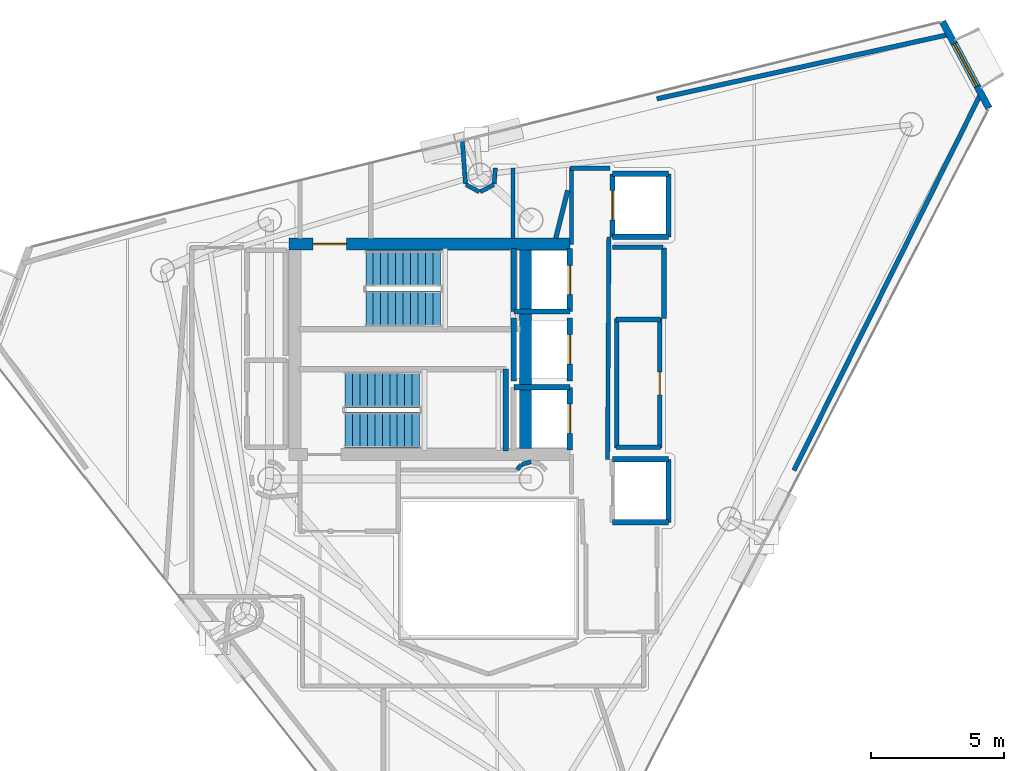
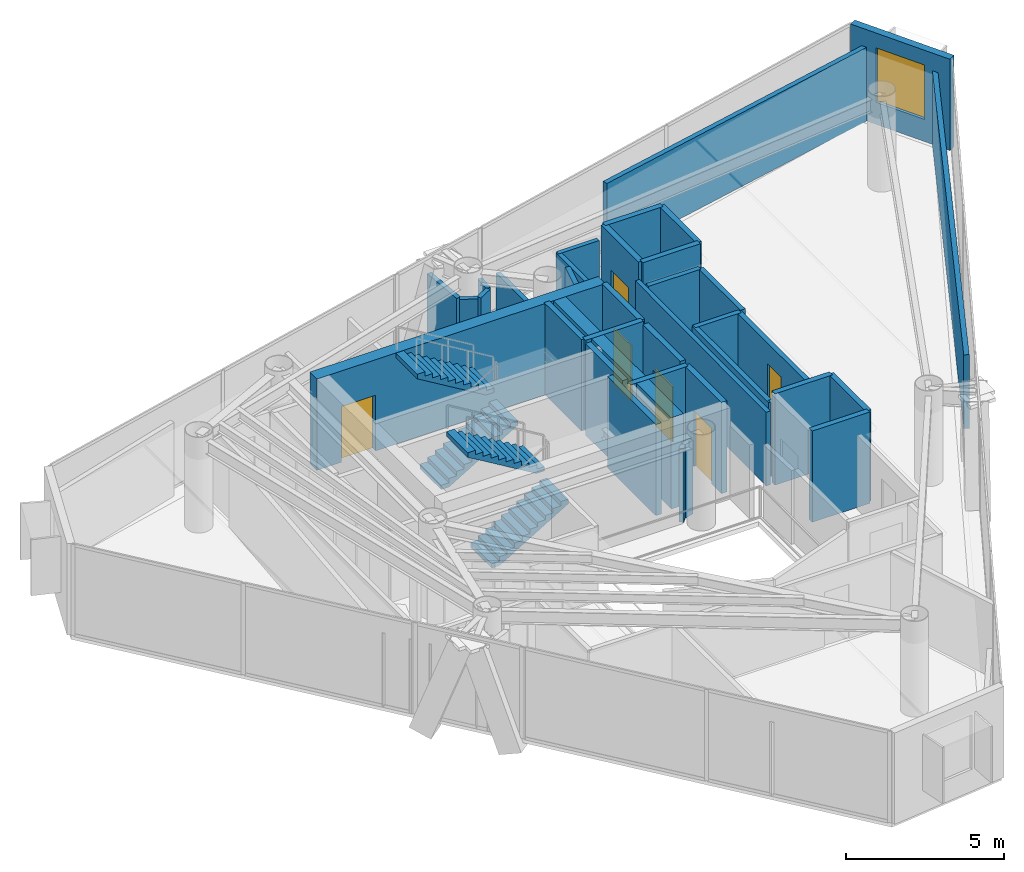
# One storey, part 19 of 21: 37 walls, 6 doors, 4 stair flights, 1 window, 7 openings, 2 elements without a shape of their own.
"""IFC4 building model written with IfcOpenShell, lengths in metres."""

from ifc_helpers import new_model, si_unit, direction, frame, frame_2d, origin, place, context, subcontext, project, spatial, polyline, rectangle, outline, extrude, material, layer, layer_set, type_object, element, fill, aggregate, save


model = new_model("IFC4")

# Units and contexts
model_context = context("Model", 3, precision=1e-05, world=origin(), true_north=direction((0.0, 1.0)))
body_context = subcontext(model_context, "Body", "Model", "MODEL_VIEW")
ifc_project = project(units=[si_unit("LENGTHUNIT", "METRE"), si_unit("AREAUNIT", "SQUARE_METRE"), si_unit("VOLUMEUNIT", "CUBIC_METRE"), si_unit("PLANEANGLEUNIT", "RADIAN"), si_unit("MASSUNIT", "GRAM", prefix="KILO")], contexts=[model_context])

# Site, building, storey
site_placement = place(None, origin())
site = spatial("IfcSite", under=ifc_project, at=site_placement, CompositionType="ELEMENT")
building_placement = place(site_placement, origin())
building = spatial("IfcBuilding", under=site, at=building_placement, Name="Qianvela Tower", CompositionType="ELEMENT")
storey_placement = place(building_placement, frame((0.0, 0.0, 310.199951171875)))
storey = spatial("IfcBuildingStorey", under=building, at=storey_placement, Name="L80", CompositionType="ELEMENT", Elevation=310.199951171875)

# Wall, opening, window
ifc_material_1 = material(Name="Terracotta Cladding on Concrete C40", Category="masonry")
ifc_layer_1 = layer(ifc_material_1, 0.260009765625)
ifc_layer_set_1 = layer_set([ifc_layer_1], Name="Terracotta Cladding on Concrete C40")
wall_type_1 = type_object("IfcWallType", Name="TERRACOTTA-WALL-260", PredefinedType="SOLIDWALL", material=ifc_layer_set_1)
wall_1_placement = place(storey_placement, frame((55.561279296875, 37.737060546875, 0.0), z_axis=(0.0, 0.0, 1.0), x_axis=(-0.472800148405, 0.881169688351, 0.0)))
wall_1 = element("IfcWall", 1, at=wall_1_placement, inside=storey, type_object=wall_type_1, Name="L80 Terracotta Chamfer Facet Wall 1", PredefinedType="SOLIDWALL", context=body_context, shape_type="SweptSolid", body=[
    extrude(rectangle(XDim=3.68701171875, YDim=0.260009765625, at=frame_2d((1.843505859375, 0.0))), origin(), (0.0, 0.0, 1.0), 3.52001953125),
])
opening_1_placement = place(wall_1_placement, frame((0.943359375, 0.0, 0.85009765625)))
opening_1 = element("IfcOpeningElement", 2, at=opening_1_placement, cuts=wall_1, Name="Opening W-01", PredefinedType="OPENING", context=body_context, shape_type="SweptSolid", body=[
    extrude(rectangle(XDim=1.800048828125, YDim=2.10009765625, at=frame_2d((0.89990234375, 1.050048828125))), frame((0.0, 0.139892578125, 0.0), z_axis=(0.0, -1.0, 0.0), x_axis=(1.0, 0.0, 0.0)), (0.0, 0.0, 1.0), 0.280029296875),
])
ifc_material_2 = material(Name="Thermally Broken Aluminium and Low-E Glass", Category="aluminium")
window_type = type_object("IfcWindowType", Name="WIN-TC-1800x2100", PartitioningType="DOUBLE_PANEL_VERTICAL", PredefinedType="WINDOW", material=ifc_material_2)
window_placement = place(opening_1_placement, origin())
window = element("IfcWindow", 3, at=window_placement, inside=storey, type_object=window_type, Name="L80 Chamfer Facet Window 1.1", OverallHeight=2.10009765625, OverallWidth=1.800048828125, PartitioningType="SINGLE_PANEL", PredefinedType="WINDOW", context=body_context, shape_type="SweptSolid", body=[
    extrude(rectangle(XDim=1.800048828125, YDim=2.10009765625, at=frame_2d((0.89990234375, 1.050048828125))), frame((0.0, 0.030029296875, 0.0), z_axis=(0.0, -1.0, 0.0), x_axis=(1.0, 0.0, 0.0)), (0.0, 0.0, 1.0), 0.06005859375),
])
fill(opening_1, window)

# Wall, opening, door
ifc_material_3 = material(Name="Concrete C50", Category="concrete")
ifc_layer_2 = layer(ifc_material_3, 0.449951171875)
ifc_layer_set_2 = layer_set([ifc_layer_2], Name="Concrete C50")
wall_type_2 = type_object("IfcWallType", Name="WT-CORE-450", PredefinedType="SHEAR", material=ifc_layer_set_2)
wall_2_placement = place(storey_placement, frame((29.330078125, 32.64501953125, 0.0), z_axis=(0.0, 0.0, 1.0), x_axis=(1.0, 0.0, 0.0)))
wall_2 = element("IfcWall", 4, at=wall_2_placement, inside=storey, type_object=wall_type_2, Name="L80 North Core Shear Wall", PredefinedType="SHEAR", context=body_context, shape_type="SweptSolid", body=[
    extrude(rectangle(XDim=10.52001953125, YDim=0.449951171875, at=frame_2d((5.260009765625, 0.0))), origin(), (0.0, 0.0, 1.0), 3.52001953125),
])
opening_2_placement = place(wall_2_placement, frame((0.89501953125, 0.0, 0.0)))
opening_2 = element("IfcOpeningElement", 5, at=opening_2_placement, cuts=wall_2, Name="Opening D-ST1", PredefinedType="OPENING", context=body_context, shape_type="SweptSolid", body=[
    extrude(rectangle(XDim=1.25, YDim=2.14990234375, at=frame_2d((0.625, 1.074951171875))), frame((0.0, 0.23486328125, 0.0), z_axis=(0.0, -1.0, 0.0), x_axis=(1.0, 0.0, 0.0)), (0.0, 0.0, 1.0), 0.469970703125),
])
ifc_material_4 = material(Name="Galvanised Fire Steel Q355B", Category="steel")
door_type_1 = type_object("IfcDoorType", Name="DT-STAIR-FD90", OperationType="NOTDEFINED", PredefinedType="DOOR", material=ifc_material_4)
door_1_placement = place(opening_2_placement, origin())
door_1 = element("IfcDoor", 6, at=door_1_placement, inside=storey, type_object=door_type_1, Name="L80 Stair ST-1 Exit Door", OperationType="SINGLE_SWING_RIGHT", OverallHeight=2.14990234375, OverallWidth=1.25, PredefinedType="DOOR", context=body_context, shape_type="SweptSolid", body=[
    extrude(rectangle(XDim=1.25, YDim=2.14990234375, at=frame_2d((0.625, 1.074951171875))), frame((0.0, 0.02490234375, 0.0), z_axis=(0.0, -1.0, 0.0), x_axis=(1.0, 0.0, 0.0)), (0.0, 0.0, 1.0), 0.050048828125),
])
fill(opening_2, door_1)

# Walls
wall_3_placement = place(storey_placement, frame((38.179931640625, 24.97998046875, 0.0), z_axis=(0.0, 0.0, 1.0), x_axis=(0.0, 1.0, 0.0)))
element("IfcWall", 7, at=wall_3_placement, inside=storey, type_object=wall_type_2, Name="L80 East Spine Core Shear Wall", PredefinedType="SHEAR", context=body_context, shape_type="SweptSolid", body=[
    extrude(rectangle(XDim=7.43994140625, YDim=0.449951171875, at=frame_2d((3.719970703125, 0.0))), origin(), (0.0, 0.0, 1.0), 3.52001953125),
])
ifc_material_5 = material(Name="Fire-Rated Gypsum and Concrete Block", Category="concrete")
ifc_layer_3 = layer(ifc_material_5, 0.159912109375)
ifc_layer_set_3 = layer_set([ifc_layer_3], Name="Fire-Rated Gypsum and Concrete Block")
wall_type_3 = type_object("IfcWallType", Name="WT-CORR-160", PredefinedType="PARTITIONING", material=ifc_layer_set_3)
wall_4_placement = place(storey_placement, frame((39.910888671875, 32.639892578125, 0.0), z_axis=(0.0, 0.0, 1.0), x_axis=(0.0, 1.0, 0.0)))
element("IfcWall", 8, at=wall_4_placement, inside=storey, type_object=wall_type_3, Name="L80 Partition 12", PredefinedType="PARTITIONING", context=body_context, shape_type="SweptSolid", body=[
    extrude(rectangle(XDim=2.880126953125, YDim=0.159912109375, at=frame_2d((1.43994140625, 0.0))), origin(), (0.0, 0.0, 1.0), 2.840087890625),
])
wall_5_placement = place(storey_placement, frame((39.8798828125, 35.489013671875, 0.0), z_axis=(0.0, 0.0, 1.0), x_axis=(1.0, 0.0, 0.0)))
element("IfcWall", 9, at=wall_5_placement, inside=storey, type_object=wall_type_3, Name="L80 Partition 13", PredefinedType="PARTITIONING", context=body_context, shape_type="SweptSolid", body=[
    extrude(rectangle(XDim=1.480224609375, YDim=0.159912109375, at=frame_2d((0.740234375, 0.0))), origin(), (0.0, 0.0, 1.0), 2.840087890625),
])
wall_6_placement = place(storey_placement, frame((41.3134765625, 32.919921875, 0.0), z_axis=(0.0, 0.0, 1.0), x_axis=(-0.005942518022, -0.999982343084, 0.0)))
element("IfcWall", 10, at=wall_6_placement, inside=storey, type_object=wall_type_3, Name="L80 Partition 14 seg 2", PredefinedType="PARTITIONING", context=body_context, shape_type="SweptSolid", body=[
    extrude(rectangle(XDim=8.340087890625, YDim=0.159912109375, at=frame_2d((4.169921875, 0.0))), origin(), (0.0, 0.0, 1.0), 2.840087890625),
])
wall_7_placement = place(storey_placement, frame((38.39111328125, 24.48974609375, 0.0), z_axis=(0.0, 0.0, 1.0), x_axis=(-0.957007018611, -0.290064762301, 0.0)))
element("IfcWall", 11, at=wall_7_placement, inside=storey, type_object=wall_type_3, Name="L80 Partition 35", PredefinedType="PARTITIONING", context=body_context, shape_type="SweptSolid", body=[
    extrude(rectangle(XDim=0.354248046875, YDim=0.159912109375, at=frame_2d((0.17724609375, 0.0))), origin(), (0.0, 0.0, 1.0), 2.840087890625),
])
wall_8_placement = place(storey_placement, frame((38.0380859375, 24.378173828125, 0.0), z_axis=(0.0, 0.0, 1.0), x_axis=(-0.673658387955, -0.739042878551, 0.0)))
element("IfcWall", 12, at=wall_8_placement, inside=storey, type_object=wall_type_3, Name="L80 Partition 36", PredefinedType="PARTITIONING", context=body_context, shape_type="SweptSolid", body=[
    extrude(rectangle(XDim=0.246337890625, YDim=0.159912109375, at=frame_2d((0.123046875, 0.0))), origin(), (0.0, 0.0, 1.0), 2.840087890625),
])
wall_9_placement = place(storey_placement, frame((35.81640625, 36.555419921875, 0.0), z_axis=(0.0, 0.0, 1.0), x_axis=(0.073329289275, -0.997307783653, 0.0)))
element("IfcWall", 13, at=wall_9_placement, inside=storey, type_object=wall_type_3, Name="L80 Partition 52", PredefinedType="PARTITIONING", context=body_context, shape_type="SweptSolid", body=[
    extrude(rectangle(XDim=1.657958984375, YDim=0.159912109375, at=frame_2d((0.8291015625, 0.0))), origin(), (0.0, 0.0, 1.0), 2.840087890625),
])
for number, where, z_axis, x_axis, name in (
    (14, (35.9541015625, 34.876708984375, 0.0), (0.0, 0.0, 1.0), (0.882047254832, -0.471160949405, 0.0), "L80 Partition 53"),
    (15, (36.490478515625, 34.605712890625, 0.0), (0.0, 0.0, 1.0), (0.882047254832, 0.471160949405, 0.0), "L80 Partition 54"),
):
    element("IfcWall", number, at=place(storey_placement, frame(where, z_axis=z_axis, x_axis=x_axis)), inside=storey, type_object=wall_type_3, Name=name, PredefinedType="PARTITIONING", context=body_context, shape_type="SweptSolid", body=[
        extrude(rectangle(XDim=0.5751953125, YDim=0.159912109375, at=frame_2d((0.28759765625, 0.0))), origin(), (0.0, 0.0, 1.0), 2.840087890625),
    ])
wall_10_placement = place(storey_placement, frame((37.01416015625, 34.90185546875, 0.0), z_axis=(0.0, 0.0, 1.0), x_axis=(0.073134230676, 0.997322106595, 0.0)))
element("IfcWall", 16, at=wall_10_placement, inside=storey, type_object=wall_type_3, Name="L80 Partition 55", PredefinedType="PARTITIONING", context=body_context, shape_type="SweptSolid", body=[
    extrude(rectangle(XDim=0.59765625, YDim=0.159912109375, at=frame_2d((0.298828125, 0.0))), origin(), (0.0, 0.0, 1.0), 2.840087890625),
])
wall_11_placement = place(storey_placement, frame((37.718994140625, 35.5, 0.0), z_axis=(0.0, 0.0, 1.0), x_axis=(0.0, -1.0, 0.0)))
element("IfcWall", 17, at=wall_11_placement, inside=storey, type_object=wall_type_3, Name="L80 Partition 57", PredefinedType="PARTITIONING", context=body_context, shape_type="SweptSolid", body=[
    extrude(rectangle(XDim=2.64208984375, YDim=0.159912109375, at=frame_2d((1.321044921875, 0.0))), origin(), (0.0, 0.0, 1.0), 2.840087890625),
])
ifc_material_6 = material(Name="Moisture-Resistant Acoustic Plumbing Wall")
ifc_layer_4 = layer(ifc_material_6, 0.175048828125)
ifc_layer_set_4 = layer_set([ifc_layer_4], Name="Moisture-Resistant Acoustic Plumbing Wall")
wall_type_4 = type_object("IfcWallType", Name="WT-PLUMB-175", PredefinedType="PLUMBINGWALL", material=ifc_layer_set_4)
wall_12_placement = place(storey_placement, frame((43.25, 25.031005859375, 0.0), z_axis=(0.0, 0.0, 1.0), x_axis=(-1.0, 0.0, 0.0)))
element("IfcWall", 18, at=wall_12_placement, inside=storey, type_object=wall_type_4, Name="L80 Partition 19", PredefinedType="PLUMBINGWALL", context=body_context, shape_type="SweptSolid", body=[
    extrude(rectangle(XDim=1.669921875, YDim=0.175048828125, at=frame_2d((0.8349609375, 0.0))), origin(), (0.0, 0.0, 1.0), 2.840087890625),
])
wall_13_placement = place(storey_placement, frame((41.611083984375, 25.0, 0.0), z_axis=(0.0, 0.0, 1.0), x_axis=(0.0, 1.0, 0.0)))
element("IfcWall", 19, at=wall_13_placement, inside=storey, type_object=wall_type_4, Name="L80 Partition 20", PredefinedType="PLUMBINGWALL", context=body_context, shape_type="SweptSolid", body=[
    extrude(rectangle(XDim=4.85009765625, YDim=0.175048828125, at=frame_2d((2.425048828125, 0.0))), origin(), (0.0, 0.0, 1.0), 2.840087890625),
])
wall_14_placement = place(storey_placement, frame((41.580078125, 29.819091796875, 0.0), z_axis=(0.0, 0.0, 1.0), x_axis=(1.0, 0.0, 0.0)))
element("IfcWall", 20, at=wall_14_placement, inside=storey, type_object=wall_type_4, Name="L80 Partition 21", PredefinedType="PLUMBINGWALL", context=body_context, shape_type="SweptSolid", body=[
    extrude(rectangle(XDim=1.669921875, YDim=0.175048828125, at=frame_2d((0.8349609375, 0.0))), origin(), (0.0, 0.0, 1.0), 2.840087890625),
])

# Wall, opening, door
wall_15_placement = place(storey_placement, frame((43.218994140625, 29.85009765625, 0.0), z_axis=(0.0, 0.0, 1.0), x_axis=(0.0, -1.0, 0.0)))
wall_15 = element("IfcWall", 21, at=wall_15_placement, inside=storey, type_object=wall_type_4, Name="L80 Partition 22", PredefinedType="PLUMBINGWALL", context=body_context, shape_type="SweptSolid", body=[
    extrude(rectangle(XDim=4.85009765625, YDim=0.175048828125, at=frame_2d((2.425048828125, 0.0))), origin(), (0.0, 0.0, 1.0), 2.840087890625),
])
opening_3_placement = place(wall_15_placement, frame((1.9951171875, 0.0, 0.0)))
opening_3 = element("IfcOpeningElement", 22, at=opening_3_placement, cuts=wall_15, Name="Opening D-WC1", PredefinedType="OPENING", context=body_context, shape_type="SweptSolid", body=[
    extrude(rectangle(XDim=0.860107421875, YDim=2.050048828125, at=frame_2d((0.43017578125, 1.02490234375))), frame((0.0, 0.097412109375, 0.0), z_axis=(0.0, -1.0, 0.0), x_axis=(1.0, 0.0, 0.0)), (0.0, 0.0, 1.0), 0.195068359375),
])
ifc_material_7 = material(Name="Moisture-Sealed Acoustic Timber Door", Category="wood")
door_type_2 = type_object("IfcDoorType", Name="DT-WC-860", OperationType="NOTDEFINED", PredefinedType="DOOR", material=ifc_material_7)
door_2_placement = place(opening_3_placement, origin())
door_2 = element("IfcDoor", 23, at=door_2_placement, inside=storey, type_object=door_type_2, Name="L80 Door L80 Accessible WC to Student Tea Pantry L80-02", OperationType="SINGLE_SWING_LEFT", OverallHeight=2.050048828125, OverallWidth=0.860107421875, PredefinedType="DOOR", context=body_context, shape_type="SweptSolid", body=[
    extrude(rectangle(XDim=0.860107421875, YDim=2.050048828125, at=frame_2d((0.43017578125, 1.02490234375))), frame((0.0, 0.02490234375, 0.0), z_axis=(0.0, -1.0, 0.0), x_axis=(1.0, 0.0, 0.0)), (0.0, 0.0, 1.0), 0.050048828125),
])
fill(opening_3, door_2)

# Walls
wall_16_placement = place(storey_placement, frame((39.77001953125, 34.661865234375, 0.0), z_axis=(0.0, 0.0, 1.0), x_axis=(-0.241886708188, -0.970304498805, 0.0)))
element("IfcWall", 24, at=wall_16_placement, inside=storey, type_object=wall_type_4, Name="L80 Partition 88", PredefinedType="PLUMBINGWALL", context=body_context, shape_type="SweptSolid", body=[
    extrude(rectangle(XDim=1.859130859375, YDim=0.175048828125, at=frame_2d((0.9296875, 0.0))), origin(), (0.0, 0.0, 1.0), 2.840087890625),
])
wall_17_placement = place(storey_placement, frame((43.11083984375, 38.09130859375, 0.0), z_axis=(0.0, 0.0, 1.0), x_axis=(0.97655948343, 0.215247706893, 0.0)))
element("IfcWall", 25, at=wall_17_placement, inside=storey, type_object=wall_type_4, Name="L80 Partition 96 seg 2", PredefinedType="PLUMBINGWALL", context=body_context, shape_type="SweptSolid", body=[
    extrude(rectangle(XDim=11.2470703125, YDim=0.175048828125, at=frame_2d((5.62353515625, 0.0))), origin(), (0.0, 0.0, 1.0), 2.840087890625),
])
wall_18_placement = place(storey_placement, frame((55.26904296875, 38.31640625, 0.0), z_axis=(0.0, 0.0, 1.0), x_axis=(-0.444156792002, -0.895949074512, 0.0)))
element("IfcWall", 26, at=wall_18_placement, inside=storey, type_object=wall_type_4, Name="L80 Partition 98 seg 1", PredefinedType="PLUMBINGWALL", context=body_context, shape_type="SweptSolid", body=[
    extrude(rectangle(XDim=15.79541015625, YDim=0.175048828125, at=frame_2d((7.897705078125, 0.0))), origin(), (0.0, 0.0, 1.0), 2.840087890625),
])
wall_19_placement = place(storey_placement, frame((43.381103515625, 29.85009765625, 0.0), z_axis=(0.0, 0.0, 1.0), x_axis=(0.0, 1.0, 0.0)))
element("IfcWall", 27, at=wall_19_placement, inside=storey, type_object=wall_type_4, Name="L80 Partition 106 seg 2", PredefinedType="PLUMBINGWALL", context=body_context, shape_type="SweptSolid", body=[
    extrude(rectangle(XDim=2.64990234375, YDim=0.175048828125, at=frame_2d((1.324951171875, 0.0))), origin(), (0.0, 0.0, 1.0), 2.840087890625),
])
wall_20_placement = place(storey_placement, frame((43.35009765625, 32.531005859375, 0.0), z_axis=(0.0, 0.0, 1.0), x_axis=(-1.0, 0.0, 0.0)))
element("IfcWall", 28, at=wall_20_placement, inside=storey, type_object=wall_type_4, Name="L80 Partition 107", PredefinedType="PLUMBINGWALL", context=body_context, shape_type="SweptSolid", body=[
    extrude(rectangle(XDim=1.91015625, YDim=0.175048828125, at=frame_2d((0.955078125, 0.0))), origin(), (0.0, 0.0, 1.0), 2.840087890625),
])
ifc_material_8 = material(Name="Concrete C50", Category="concrete")
ifc_layer_5 = layer(ifc_material_8, 0.199951171875)
ifc_layer_set_5 = layer_set([ifc_layer_5], Name="Concrete C50")
wall_type_5 = type_object("IfcWallType", Name="WT-SHAFT-200", PredefinedType="SOLIDWALL", material=ifc_layer_set_5)
wall_21_placement = place(storey_placement, frame((37.449951171875, 24.89990234375, 0.0), z_axis=(0.0, 0.0, 1.0), x_axis=(0.0, 1.0, 0.0)))
element("IfcWall", 29, at=wall_21_placement, inside=storey, type_object=wall_type_5, Name="L80 Stair ST-2 East Wall", PredefinedType="SOLIDWALL", context=body_context, shape_type="SweptSolid", body=[
    extrude(rectangle(XDim=3.06005859375, YDim=0.199951171875, at=frame_2d((1.530029296875, 0.0))), origin(), (0.0, 0.0, 1.0), 3.52001953125),
])

# Wall, opening, door
wall_22_placement = place(storey_placement, frame((39.85009765625, 30.1201171875, 0.0), z_axis=(0.0, 0.0, 1.0), x_axis=(0.0, 1.0, 0.0)))
wall_22 = element("IfcWall", 30, at=wall_22_placement, inside=storey, type_object=wall_type_5, Name="L80 Lift FL-1 E Shaft Wall", PredefinedType="SOLIDWALL", context=body_context, shape_type="SweptSolid", body=[
    extrude(rectangle(XDim=2.35986328125, YDim=0.199951171875, at=frame_2d((1.179931640625, 0.0))), origin(), (0.0, 0.0, 1.0), 3.52001953125),
])
opening_4_placement = place(wall_22_placement, frame((0.6298828125, 0.0, 0.0)))
opening_4 = element("IfcOpeningElement", 31, at=opening_4_placement, cuts=wall_22, Name="Opening LD-01", PredefinedType="OPENING", context=body_context, shape_type="SweptSolid", body=[
    extrude(rectangle(XDim=1.10009765625, YDim=2.14990234375, at=frame_2d((0.550048828125, 1.074951171875))), frame((0.0, 0.10986328125, 0.0), z_axis=(0.0, -1.0, 0.0), x_axis=(1.0, 0.0, 0.0)), (0.0, 0.0, 1.0), 0.219970703125),
])
ifc_material_9 = material(Name="Brushed Stainless Steel Lift Landing Door", Category="steel")
door_type_3 = type_object("IfcDoorType", Name="DT-LIFT-SLIDE-1100", OperationType="SLIDING_TO_LEFT", PredefinedType="DOOR", material=ifc_material_9)
door_3_placement = place(opening_4_placement, origin())
door_3 = element("IfcDoor", 32, at=door_3_placement, inside=storey, type_object=door_type_3, Name="L80 Lift FL-1 Sliding Landing Door", OperationType="SLIDING_TO_LEFT", OverallHeight=2.14990234375, OverallWidth=1.10009765625, PredefinedType="DOOR", context=body_context, shape_type="SweptSolid", body=[
    extrude(rectangle(XDim=1.10009765625, YDim=2.14990234375, at=frame_2d((0.550048828125, 1.074951171875))), frame((0.0, 0.02490234375, 0.0), z_axis=(0.0, -1.0, 0.0), x_axis=(1.0, 0.0, 0.0)), (0.0, 0.0, 1.0), 0.050048828125),
])
fill(opening_4, door_3)

# Walls
wall_23_placement = place(storey_placement, frame((37.75, 30.1201171875, 0.0), z_axis=(0.0, 0.0, 1.0), x_axis=(0.0, 1.0, 0.0)))
element("IfcWall", 33, at=wall_23_placement, inside=storey, type_object=wall_type_5, Name="L80 Lift FL-1 W Shaft Wall", PredefinedType="SOLIDWALL", context=body_context, shape_type="SweptSolid", body=[
    extrude(rectangle(XDim=2.35986328125, YDim=0.199951171875, at=frame_2d((1.179931640625, 0.0))), origin(), (0.0, 0.0, 1.0), 3.52001953125),
])
wall_24_placement = place(storey_placement, frame((37.75, 30.1201171875, 0.0), z_axis=(0.0, 0.0, 1.0), x_axis=(1.0, 0.0, 0.0)))
element("IfcWall", 34, at=wall_24_placement, inside=storey, type_object=wall_type_5, Name="L80 Lift FL-1 S Shaft Wall", PredefinedType="SOLIDWALL", context=body_context, shape_type="SweptSolid", body=[
    extrude(rectangle(XDim=2.10009765625, YDim=0.199951171875, at=frame_2d((1.050048828125, 0.0))), origin(), (0.0, 0.0, 1.0), 3.52001953125),
])

# Wall, opening, door
wall_25_placement = place(storey_placement, frame((39.85009765625, 24.919921875, 0.0), z_axis=(0.0, 0.0, 1.0), x_axis=(0.0, 1.0, 0.0)))
wall_25 = element("IfcWall", 35, at=wall_25_placement, inside=storey, type_object=wall_type_5, Name="L80 Lift FL-2 E Shaft Wall", PredefinedType="SOLIDWALL", context=body_context, shape_type="SweptSolid", body=[
    extrude(rectangle(XDim=2.360107421875, YDim=0.199951171875, at=frame_2d((1.18017578125, 0.0))), origin(), (0.0, 0.0, 1.0), 3.52001953125),
])
opening_5_placement = place(wall_25_placement, frame((0.6298828125, 0.0, 0.0)))
opening_5 = element("IfcOpeningElement", 36, at=opening_5_placement, cuts=wall_25, Name="Opening LD-01", PredefinedType="OPENING", context=body_context, shape_type="SweptSolid", body=[
    extrude(rectangle(XDim=1.10009765625, YDim=2.14990234375, at=frame_2d((0.550048828125, 1.074951171875))), frame((0.0, 0.10986328125, 0.0), z_axis=(0.0, -1.0, 0.0), x_axis=(1.0, 0.0, 0.0)), (0.0, 0.0, 1.0), 0.219970703125),
])
door_4_placement = place(opening_5_placement, origin())
door_4 = element("IfcDoor", 37, at=door_4_placement, inside=storey, type_object=door_type_3, Name="L80 Lift FL-2 Sliding Landing Door", OperationType="SLIDING_TO_LEFT", OverallHeight=2.14990234375, OverallWidth=1.10009765625, PredefinedType="DOOR", context=body_context, shape_type="SweptSolid", body=[
    extrude(rectangle(XDim=1.10009765625, YDim=2.14990234375, at=frame_2d((0.550048828125, 1.074951171875))), frame((0.0, 0.02490234375, 0.0), z_axis=(0.0, -1.0, 0.0), x_axis=(1.0, 0.0, 0.0)), (0.0, 0.0, 1.0), 0.050048828125),
])
fill(opening_5, door_4)

# Wall
wall_26_placement = place(storey_placement, frame((37.75, 27.280029296875, 0.0), z_axis=(0.0, 0.0, 1.0), x_axis=(1.0, 0.0, 0.0)))
element("IfcWall", 38, at=wall_26_placement, inside=storey, type_object=wall_type_5, Name="L80 Lift FL-2 N Shaft Wall", PredefinedType="SOLIDWALL", context=body_context, shape_type="SweptSolid", body=[
    extrude(rectangle(XDim=2.10009765625, YDim=0.199951171875, at=frame_2d((1.050048828125, 0.0))), origin(), (0.0, 0.0, 1.0), 3.52001953125),
])

# Wall, opening, door
wall_27_placement = place(storey_placement, frame((39.85009765625, 27.52001953125, 0.0), z_axis=(0.0, 0.0, 1.0), x_axis=(0.0, 1.0, 0.0)))
wall_27 = element("IfcWall", 39, at=wall_27_placement, inside=storey, type_object=wall_type_5, Name="L80 Lift PL-H1 E Shaft Wall", PredefinedType="SOLIDWALL", context=body_context, shape_type="SweptSolid", body=[
    extrude(rectangle(XDim=2.35986328125, YDim=0.199951171875, at=frame_2d((1.179931640625, 0.0))), origin(), (0.0, 0.0, 1.0), 3.52001953125),
])
opening_6_placement = place(wall_27_placement, frame((0.6298828125, 0.0, 0.0)))
opening_6 = element("IfcOpeningElement", 40, at=opening_6_placement, cuts=wall_27, Name="Opening LD-01", PredefinedType="OPENING", context=body_context, shape_type="SweptSolid", body=[
    extrude(rectangle(XDim=1.10009765625, YDim=2.14990234375, at=frame_2d((0.550048828125, 1.074951171875))), frame((0.0, 0.10986328125, 0.0), z_axis=(0.0, -1.0, 0.0), x_axis=(1.0, 0.0, 0.0)), (0.0, 0.0, 1.0), 0.219970703125),
])
door_5_placement = place(opening_6_placement, origin())
door_5 = element("IfcDoor", 41, at=door_5_placement, inside=storey, type_object=door_type_3, Name="L80 Lift PL-H1 Sliding Landing Door", OperationType="SLIDING_TO_LEFT", OverallHeight=2.14990234375, OverallWidth=1.10009765625, PredefinedType="DOOR", context=body_context, shape_type="SweptSolid", body=[
    extrude(rectangle(XDim=1.10009765625, YDim=2.14990234375, at=frame_2d((0.550048828125, 1.074951171875))), frame((0.0, 0.02490234375, 0.0), z_axis=(0.0, -1.0, 0.0), x_axis=(1.0, 0.0, 0.0)), (0.0, 0.0, 1.0), 0.050048828125),
])
fill(opening_6, door_5)

# Walls
wall_28_placement = place(storey_placement, frame((37.75, 27.52001953125, 0.0), z_axis=(0.0, 0.0, 1.0), x_axis=(0.0, 1.0, 0.0)))
element("IfcWall", 42, at=wall_28_placement, inside=storey, type_object=wall_type_5, Name="L80 Lift PL-H1 W Shaft Wall", PredefinedType="SOLIDWALL", context=body_context, shape_type="SweptSolid", body=[
    extrude(rectangle(XDim=2.35986328125, YDim=0.199951171875, at=frame_2d((1.179931640625, 0.0))), origin(), (0.0, 0.0, 1.0), 3.52001953125),
])
wall_29_placement = place(storey_placement, frame((43.550048828125, 22.219970703125, 0.0), z_axis=(0.0, 0.0, 1.0), x_axis=(0.0, 1.0, 0.0)))
element("IfcWall", 43, at=wall_29_placement, inside=storey, type_object=wall_type_5, Name="L80 Lift PL-H2 E Shaft Wall", PredefinedType="SOLIDWALL", context=body_context, shape_type="SweptSolid", body=[
    extrude(rectangle(XDim=2.360107421875, YDim=0.199951171875, at=frame_2d((1.18017578125, 0.0))), origin(), (0.0, 0.0, 1.0), 3.52001953125),
])
for number, where, z_axis, x_axis, name in (
    (44, (41.449951171875, 24.580078125, 0.0), (0.0, 0.0, 1.0), (1.0, 0.0, 0.0), "L80 Lift PL-H2 N Shaft Wall"),
    (45, (41.449951171875, 22.219970703125, 0.0), (0.0, 0.0, 1.0), (1.0, 0.0, 0.0), "L80 Lift PL-H2 S Shaft Wall"),
):
    element("IfcWall", number, at=place(storey_placement, frame(where, z_axis=z_axis, x_axis=x_axis)), inside=storey, type_object=wall_type_5, Name=name, PredefinedType="SOLIDWALL", context=body_context, shape_type="SweptSolid", body=[
        extrude(rectangle(XDim=2.10009765625, YDim=0.199951171875, at=frame_2d((1.050048828125, 0.0))), origin(), (0.0, 0.0, 1.0), 3.52001953125),
    ])
wall_30_placement = place(storey_placement, frame((43.550048828125, 32.919921875, 0.0), z_axis=(0.0, 0.0, 1.0), x_axis=(0.0, 1.0, 0.0)))
element("IfcWall", 46, at=wall_30_placement, inside=storey, type_object=wall_type_5, Name="L80 Lift PL-H3 E Shaft Wall", PredefinedType="SOLIDWALL", context=body_context, shape_type="SweptSolid", body=[
    extrude(rectangle(XDim=2.360107421875, YDim=0.199951171875, at=frame_2d((1.18017578125, 0.0))), origin(), (0.0, 0.0, 1.0), 3.52001953125),
])

# Wall, opening, door
wall_31_placement = place(storey_placement, frame((41.449951171875, 32.919921875, 0.0), z_axis=(0.0, 0.0, 1.0), x_axis=(0.0, 1.0, 0.0)))
wall_31 = element("IfcWall", 47, at=wall_31_placement, inside=storey, type_object=wall_type_5, Name="L80 Lift PL-H3 W Shaft Wall", PredefinedType="SOLIDWALL", context=body_context, shape_type="SweptSolid", body=[
    extrude(rectangle(XDim=2.360107421875, YDim=0.199951171875, at=frame_2d((1.18017578125, 0.0))), origin(), (0.0, 0.0, 1.0), 3.52001953125),
])
opening_7_placement = place(wall_31_placement, frame((0.6298828125, 0.0, 0.0)))
opening_7 = element("IfcOpeningElement", 48, at=opening_7_placement, cuts=wall_31, Name="Opening LD-01", PredefinedType="OPENING", context=body_context, shape_type="SweptSolid", body=[
    extrude(rectangle(XDim=1.10009765625, YDim=2.14990234375, at=frame_2d((0.550048828125, 1.074951171875))), frame((0.0, 0.10986328125, 0.0), z_axis=(0.0, -1.0, 0.0), x_axis=(1.0, 0.0, 0.0)), (0.0, 0.0, 1.0), 0.219970703125),
])
door_6_placement = place(opening_7_placement, origin())
door_6 = element("IfcDoor", 49, at=door_6_placement, inside=storey, type_object=door_type_3, Name="L80 Lift PL-H3 Sliding Landing Door", OperationType="SLIDING_TO_LEFT", OverallHeight=2.14990234375, OverallWidth=1.10009765625, PredefinedType="DOOR", context=body_context, shape_type="SweptSolid", body=[
    extrude(rectangle(XDim=1.10009765625, YDim=2.14990234375, at=frame_2d((0.550048828125, 1.074951171875))), frame((0.0, 0.02490234375, 0.0), z_axis=(0.0, -1.0, 0.0), x_axis=(1.0, 0.0, 0.0)), (0.0, 0.0, 1.0), 0.050048828125),
])
fill(opening_7, door_6)

# Walls
for number, where, z_axis, x_axis, name in (
    (50, (41.449951171875, 35.280029296875, 0.0), (0.0, 0.0, 1.0), (1.0, 0.0, 0.0), "L80 Lift PL-H3 N Shaft Wall"),
    (51, (41.449951171875, 32.919921875, 0.0), (0.0, 0.0, 1.0), (1.0, 0.0, 0.0), "L80 Lift PL-H3 S Shaft Wall"),
):
    element("IfcWall", number, at=place(storey_placement, frame(where, z_axis=z_axis, x_axis=x_axis)), inside=storey, type_object=wall_type_5, Name=name, PredefinedType="SOLIDWALL", context=body_context, shape_type="SweptSolid", body=[
        extrude(rectangle(XDim=2.10009765625, YDim=0.199951171875, at=frame_2d((1.050048828125, 0.0))), origin(), (0.0, 0.0, 1.0), 3.52001953125),
    ])

# Stair, stair flights
ifc_material_10 = material(Name="Concrete C40", Category="concrete")
stair_type = type_object("IfcStairType", Name="ST-DOGLEG-1350-R168-N22", PredefinedType="HALF_TURN_STAIR", material=ifc_material_10)
stair_1_placement = place(storey_placement, origin())
stair_1 = element("IfcStair", 52, at=stair_1_placement, inside=storey, type_object=stair_type, Name="L80 Smoke-Proof Core Stair ST-1", PredefinedType="HALF_TURN_STAIR")
ifc_material_11 = material(Name="Concrete C40", Category="concrete")
stair_flight_type = type_object("IfcStairFlightType", Name="STF-STRAIGHT-R168-P11", PredefinedType="STRAIGHT", material=ifc_material_11)
stair_flight_1_placement = place(storey_placement, frame((32.199951171875, 30.215087890625, 0.0), z_axis=(0.0, 0.0, 1.0), x_axis=(1.0, 0.0, 0.0)))
stair_flight_1 = element("IfcStairFlight", 53, at=stair_flight_1_placement, type_object=stair_flight_type, Name="ST-1 flight 1", NumberOfRisers=11, NumberOfTreads=10, PredefinedType="STRAIGHT", RiserHeight=0.168181818, TreadLength=0.28, context=body_context, shape_type="SweptSolid", body=[
    extrude(outline(polyline([(0.0, 0.0), (0.0, 0.168212890625), (0.280029296875, 0.168212890625), (0.280029296875, 0.33642578125), (0.56005859375, 0.33642578125), (0.56005859375, 0.504638671875), (0.840087890625, 0.504638671875), (0.840087890625, 0.672607421875), (1.1201171875, 0.672607421875), (1.1201171875, 0.8408203125), (1.39990234375, 0.8408203125), (1.39990234375, 1.009033203125), (1.679931640625, 1.009033203125), (1.679931640625, 1.17724609375), (1.9599609375, 1.17724609375), (1.9599609375, 1.345458984375), (2.239990234375, 1.345458984375), (2.239990234375, 1.513671875), (2.52001953125, 1.513671875), (2.52001953125, 1.681884765625), (2.800048828125, 1.681884765625), (2.800048828125, 1.85009765625), (2.800048828125, 1.5068359375), (0.291015625, 0.0), (0.0, 0.0)])), frame((0.0, 0.675048828125, 0.0), z_axis=(0.0, -1.0, 0.0), x_axis=(1.0, 0.0, 0.0)), (0.0, 0.0, 1.0), 1.35009765625),
])
stair_flight_2_placement = place(storey_placement, frame((35.0, 31.72509765625, 1.85009765625), z_axis=(0.0, 0.0, 1.0), x_axis=(-1.0, 0.0, 0.0)))
stair_flight_2 = element("IfcStairFlight", 54, at=stair_flight_2_placement, type_object=stair_flight_type, Name="ST-1 flight 2", NumberOfRisers=11, NumberOfTreads=10, PredefinedType="STRAIGHT", RiserHeight=0.168181818, TreadLength=0.28, context=body_context, shape_type="SweptSolid", body=[
    extrude(outline(polyline([(0.0, 0.0), (0.0, 0.168212890625), (0.280029296875, 0.168212890625), (0.280029296875, 0.33642578125), (0.56005859375, 0.33642578125), (0.56005859375, 0.504638671875), (0.840087890625, 0.504638671875), (0.840087890625, 0.672607421875), (1.1201171875, 0.672607421875), (1.1201171875, 0.8408203125), (1.39990234375, 0.8408203125), (1.39990234375, 1.009033203125), (1.679931640625, 1.009033203125), (1.679931640625, 1.17724609375), (1.9599609375, 1.17724609375), (1.9599609375, 1.345458984375), (2.239990234375, 1.345458984375), (2.239990234375, 1.513671875), (2.52001953125, 1.513671875), (2.52001953125, 1.681884765625), (2.800048828125, 1.681884765625), (2.800048828125, 1.85009765625), (2.800048828125, 1.5068359375), (0.291015625, 0.0), (0.0, 0.0)])), frame((0.0, 0.675048828125, 0.0), z_axis=(0.0, -1.0, 0.0), x_axis=(1.0, 0.0, 0.0)), (0.0, 0.0, 1.0), 1.35009765625),
])
aggregate(stair_1, [stair_flight_1, stair_flight_2])

stair_2_placement = place(storey_placement, origin())
stair_2 = element("IfcStair", 55, at=stair_2_placement, inside=storey, type_object=stair_type, Name="L80 Smoke-Proof Core Stair ST-2", PredefinedType="HALF_TURN_STAIR")
stair_flight_3_placement = place(storey_placement, frame((31.419921875, 25.675048828125, 0.0), z_axis=(0.0, 0.0, 1.0), x_axis=(1.0, 0.0, 0.0)))
stair_flight_3 = element("IfcStairFlight", 56, at=stair_flight_3_placement, type_object=stair_flight_type, Name="ST-2 flight 1", NumberOfRisers=11, NumberOfTreads=10, PredefinedType="STRAIGHT", RiserHeight=0.168181818, TreadLength=0.28, context=body_context, shape_type="SweptSolid", body=[
    extrude(outline(polyline([(0.0, 0.0), (0.0, 0.168212890625), (0.280029296875, 0.168212890625), (0.280029296875, 0.33642578125), (0.56005859375, 0.33642578125), (0.56005859375, 0.504638671875), (0.840087890625, 0.504638671875), (0.840087890625, 0.672607421875), (1.1201171875, 0.672607421875), (1.1201171875, 0.8408203125), (1.39990234375, 0.8408203125), (1.39990234375, 1.009033203125), (1.679931640625, 1.009033203125), (1.679931640625, 1.17724609375), (1.9599609375, 1.17724609375), (1.9599609375, 1.345458984375), (2.239990234375, 1.345458984375), (2.239990234375, 1.513671875), (2.52001953125, 1.513671875), (2.52001953125, 1.681884765625), (2.800048828125, 1.681884765625), (2.800048828125, 1.85009765625), (2.800048828125, 1.5068359375), (0.291015625, 0.0), (0.0, 0.0)])), frame((0.0, 0.675048828125, 0.0), z_axis=(0.0, -1.0, 0.0), x_axis=(1.0, 0.0, 0.0)), (0.0, 0.0, 1.0), 1.35009765625),
])
stair_flight_4_placement = place(storey_placement, frame((34.219970703125, 27.18505859375, 1.85009765625), z_axis=(0.0, 0.0, 1.0), x_axis=(-1.0, 0.0, 0.0)))
stair_flight_4 = element("IfcStairFlight", 57, at=stair_flight_4_placement, type_object=stair_flight_type, Name="ST-2 flight 2", NumberOfRisers=11, NumberOfTreads=10, PredefinedType="STRAIGHT", RiserHeight=0.168181818, TreadLength=0.28, context=body_context, shape_type="SweptSolid", body=[
    extrude(outline(polyline([(0.0, 0.0), (0.0, 0.168212890625), (0.280029296875, 0.168212890625), (0.280029296875, 0.33642578125), (0.56005859375, 0.33642578125), (0.56005859375, 0.504638671875), (0.840087890625, 0.504638671875), (0.840087890625, 0.672607421875), (1.1201171875, 0.672607421875), (1.1201171875, 0.8408203125), (1.39990234375, 0.8408203125), (1.39990234375, 1.009033203125), (1.679931640625, 1.009033203125), (1.679931640625, 1.17724609375), (1.9599609375, 1.17724609375), (1.9599609375, 1.345458984375), (2.239990234375, 1.345458984375), (2.239990234375, 1.513671875), (2.52001953125, 1.513671875), (2.52001953125, 1.681884765625), (2.800048828125, 1.681884765625), (2.800048828125, 1.85009765625), (2.800048828125, 1.5068359375), (0.291015625, 0.0), (0.0, 0.0)])), frame((0.0, 0.675048828125, 0.0), z_axis=(0.0, -1.0, 0.0), x_axis=(1.0, 0.0, 0.0)), (0.0, 0.0, 1.0), 1.35009765625),
])
aggregate(stair_2, [stair_flight_3, stair_flight_4])

save(model, "model.ifc")
